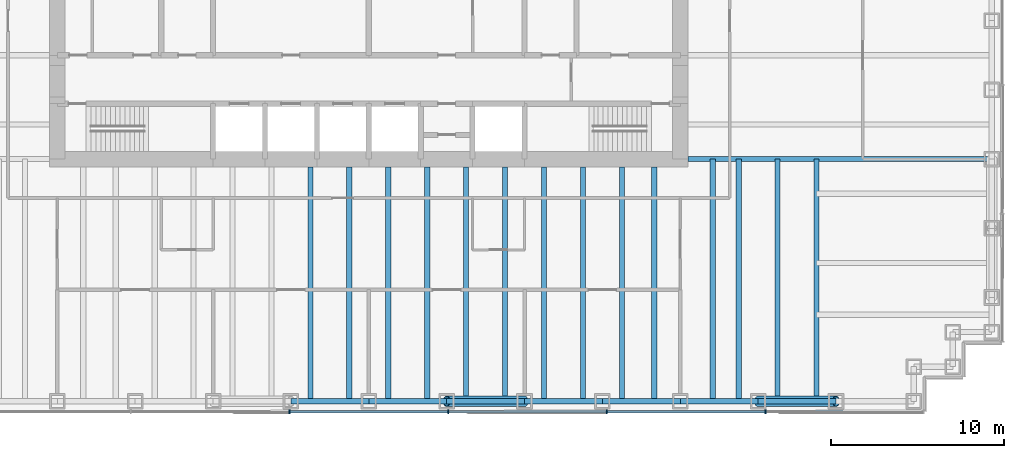
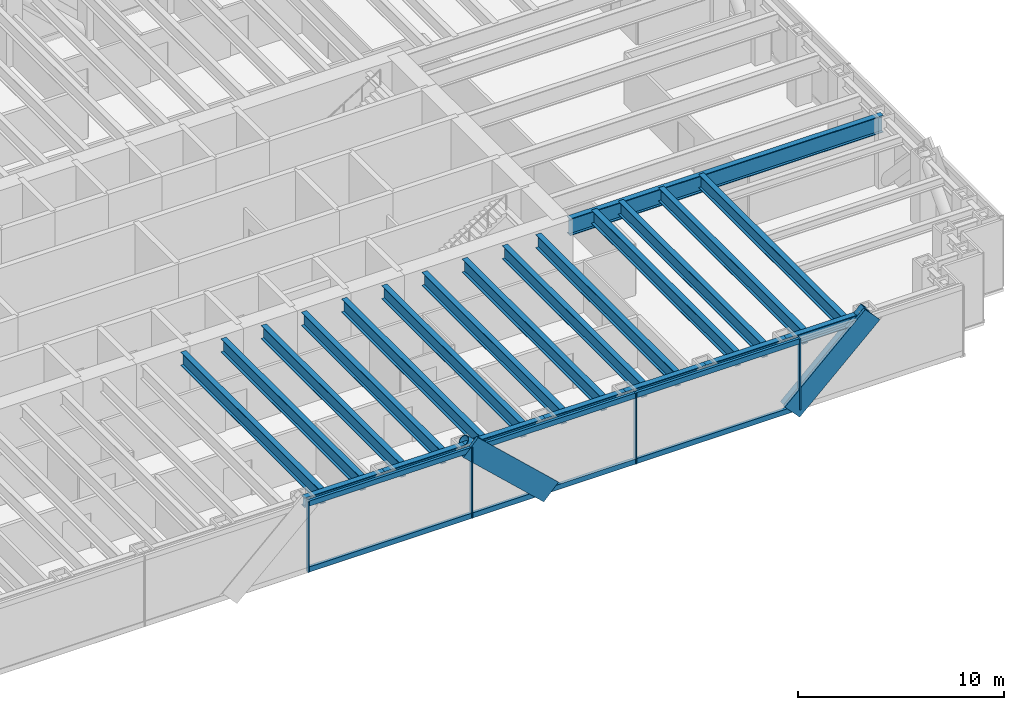
# One storey, part 4 of 15: 22 beams, 14 members, 1 element without a shape of its own.
"""IFC4 building model written with IfcOpenShell, lengths in metres."""

from ifc_helpers import new_model, si_unit, direction, frame, origin, origin_2d, place, context, subcontext, project, spatial, rectangle, hollow_circle, i_section, extrude, material, material_profile, profile_set, type_object, element, aggregate, save


model = new_model("IFC4")

# Units and contexts
model_context = context("Model", 3, precision=1e-05, world=origin(), true_north=direction((0.0, 1.0)))
body_context = subcontext(model_context, "Body", "Model", "MODEL_VIEW")
ifc_project = project(units=[si_unit("LENGTHUNIT", "METRE"), si_unit("AREAUNIT", "SQUARE_METRE"), si_unit("VOLUMEUNIT", "CUBIC_METRE"), si_unit("PLANEANGLEUNIT", "RADIAN"), si_unit("MASSUNIT", "GRAM", prefix="KILO")], contexts=[model_context])

# Site, building, storey
site_placement = place(None, origin())
site = spatial("IfcSite", under=ifc_project, at=site_placement, CompositionType="ELEMENT")
building_placement = place(site_placement, origin())
building = spatial("IfcBuilding", under=site, at=building_placement, Name="Rheinbord Bourse Tower", CompositionType="ELEMENT")
storey_placement = place(building_placement, frame((0.0, 0.0, 146.699951171875)))
storey = spatial("IfcBuildingStorey", under=building, at=storey_placement, Name="L32", CompositionType="ELEMENT", Elevation=146.699951171875)

# Curtain wall, members
ifc_material_1 = material(Name="Dark glass and black aluminium", Category="aluminium")
curtain_wall_type = type_object("IfcCurtainWallType", Name="CW2 DARK GLASS CURTAIN WALL", PredefinedType="USERDEFINED", material=ifc_material_1)
curtain_wall_placement = place(storey_placement, origin())
curtain_wall = element("IfcCurtainWall", 1, at=curtain_wall_placement, inside=storey, type_object=curtain_wall_type, Name="Curtain wall CW2 S L32", ObjectType="UNITISED CURTAIN WALL", PredefinedType="USERDEFINED")
ifc_material_2 = material(Name="Black anodised aluminium", Category="aluminium")
ifc_material_profile_1 = material_profile(ifc_material_2, rectangle(XDim=0.159912109375, YDim=1.2099609375, at=origin_2d()), Name="CW2 DIAGONAL MULLION 1210x160")
ifc_profile_set_1 = profile_set([ifc_material_profile_1], Name="Black anodised aluminium")
member_type_1 = type_object("IfcMemberType", Name="CW2 BLACK DIAGONAL MULLION", PredefinedType="USERDEFINED", material=ifc_profile_set_1)
member_1_placement = place(storey_placement, frame((45.0, 1.39990234375, 0.0), z_axis=(-0.73105922506, 0.0, 0.682314010889), x_axis=(0.0, -1.0, 0.0)))
member_1 = element("IfcMember", 2, at=member_1_placement, type_object=member_type_1, Name="CW2 diagonal mullion b", ObjectType="DIAGONAL MULLION", PredefinedType="USERDEFINED", context=body_context, shape_type="SweptSolid", body=[
    extrude(rectangle(XDim=0.159912109375, YDim=1.2099609375, at=origin_2d()), origin(), (0.0, 0.0, 1.0), 6.155517578125),
])
member_2_placement = place(storey_placement, frame((58.5, 1.39990234375, 0.0), z_axis=(0.73105922506, 0.0, 0.682314010889), x_axis=(0.0, 1.0, 0.0)))
member_2 = element("IfcMember", 3, at=member_2_placement, type_object=member_type_1, Name="CW2 diagonal mullion c", ObjectType="DIAGONAL MULLION", PredefinedType="USERDEFINED", context=body_context, shape_type="SweptSolid", body=[
    extrude(rectangle(XDim=0.159912109375, YDim=1.2099609375, at=origin_2d()), origin(), (0.0, 0.0, 1.0), 6.155517578125),
])
ifc_material_3 = material(Name="Black anodised aluminium", Category="aluminium")
ifc_material_profile_2 = material_profile(ifc_material_3, rectangle(XDim=0.219970703125, YDim=0.070068359375, at=origin_2d()), Name="CW2 MULLION 70x220")
ifc_profile_set_2 = profile_set([ifc_material_profile_2], Name="Black anodised aluminium")
member_type_2 = type_object("IfcMemberType", Name="CW2 BLACK MULLION", PredefinedType="MULLION", material=ifc_profile_set_2)
member_3_placement = place(storey_placement, frame((31.414306640625, 1.39990234375, 0.0), z_axis=(0.0, 0.0, 1.0), x_axis=(0.0, 1.0, 0.0)))
member_3 = element("IfcMember", 4, at=member_3_placement, type_object=member_type_2, Name="CW2 mullion 4", PredefinedType="MULLION", context=body_context, shape_type="SweptSolid", body=[
    extrude(rectangle(XDim=0.219970703125, YDim=0.070068359375, at=origin_2d()), origin(), (0.0, 0.0, 1.0), 4.199951171875),
])
member_4_placement = place(storey_placement, frame((40.585693359375, 1.39990234375, 0.0), z_axis=(0.0, 0.0, 1.0), x_axis=(0.0, 1.0, 0.0)))
member_4 = element("IfcMember", 5, at=member_4_placement, type_object=member_type_2, Name="CW2 mullion 5", PredefinedType="MULLION", context=body_context, shape_type="SweptSolid", body=[
    extrude(rectangle(XDim=0.219970703125, YDim=0.070068359375, at=origin_2d()), origin(), (0.0, 0.0, 1.0), 4.199951171875),
])
member_5_placement = place(storey_placement, frame((49.757080078125, 1.39990234375, 0.0), z_axis=(0.0, 0.0, 1.0), x_axis=(0.0, 1.0, 0.0)))
member_5 = element("IfcMember", 6, at=member_5_placement, type_object=member_type_2, Name="CW2 mullion 6", PredefinedType="MULLION", context=body_context, shape_type="SweptSolid", body=[
    extrude(rectangle(XDim=0.219970703125, YDim=0.070068359375, at=origin_2d()), origin(), (0.0, 0.0, 1.0), 4.199951171875),
])
member_6_placement = place(storey_placement, frame((58.928466796875, 1.39990234375, 0.0), z_axis=(0.0, 0.0, 1.0), x_axis=(0.0, 1.0, 0.0)))
member_6 = element("IfcMember", 7, at=member_6_placement, type_object=member_type_2, Name="CW2 mullion 7", PredefinedType="MULLION", context=body_context, shape_type="SweptSolid", body=[
    extrude(rectangle(XDim=0.219970703125, YDim=0.070068359375, at=origin_2d()), origin(), (0.0, 0.0, 1.0), 4.199951171875),
])
ifc_material_4 = material(Name="Black anodised aluminium", Category="aluminium")
ifc_material_profile_3 = material_profile(ifc_material_4, rectangle(XDim=0.159912109375, YDim=0.300048828125, at=origin_2d()), Name="CW2 TRANSOM 300x160")
ifc_profile_set_3 = profile_set([ifc_material_profile_3], Name="Black anodised aluminium")
member_type_3 = type_object("IfcMemberType", Name="CW2 BLACK TRANSOM", PredefinedType="USERDEFINED", material=ifc_profile_set_3)
member_7_placement = place(storey_placement, frame((31.44921875, 1.39990234375, 0.150146484375), z_axis=(1.0, 0.0, 0.0), x_axis=(0.0, 1.0, 0.0)))
member_7 = element("IfcMember", 8, at=member_7_placement, type_object=member_type_3, Name="CW2 transom 4.1", ObjectType="TRANSOM", PredefinedType="USERDEFINED", context=body_context, shape_type="SweptSolid", body=[
    extrude(rectangle(XDim=0.159912109375, YDim=0.300048828125, at=origin_2d()), origin(), (0.0, 0.0, 1.0), 9.1015625),
])
member_8_placement = place(storey_placement, frame((31.44921875, 1.39990234375, 4.050048828125), z_axis=(1.0, 0.0, 0.0), x_axis=(0.0, 1.0, 0.0)))
member_8 = element("IfcMember", 9, at=member_8_placement, type_object=member_type_3, Name="CW2 transom 4.2", ObjectType="TRANSOM", PredefinedType="USERDEFINED", context=body_context, shape_type="SweptSolid", body=[
    extrude(rectangle(XDim=0.159912109375, YDim=0.300048828125, at=origin_2d()), origin(), (0.0, 0.0, 1.0), 9.1015625),
])
member_9_placement = place(storey_placement, frame((40.62060546875, 1.39990234375, 0.150146484375), z_axis=(1.0, 0.0, 0.0), x_axis=(0.0, 1.0, 0.0)))
member_9 = element("IfcMember", 10, at=member_9_placement, type_object=member_type_3, Name="CW2 transom 5.1", ObjectType="TRANSOM", PredefinedType="USERDEFINED", context=body_context, shape_type="SweptSolid", body=[
    extrude(rectangle(XDim=0.159912109375, YDim=0.300048828125, at=origin_2d()), origin(), (0.0, 0.0, 1.0), 9.1015625),
])
member_10_placement = place(storey_placement, frame((40.62060546875, 1.39990234375, 4.050048828125), z_axis=(1.0, 0.0, 0.0), x_axis=(0.0, 1.0, 0.0)))
member_10 = element("IfcMember", 11, at=member_10_placement, type_object=member_type_3, Name="CW2 transom 5.2", ObjectType="TRANSOM", PredefinedType="USERDEFINED", context=body_context, shape_type="SweptSolid", body=[
    extrude(rectangle(XDim=0.159912109375, YDim=0.300048828125, at=origin_2d()), origin(), (0.0, 0.0, 1.0), 9.1015625),
])
member_11_placement = place(storey_placement, frame((49.792236328125, 1.39990234375, 0.150146484375), z_axis=(1.0, 0.0, 0.0), x_axis=(0.0, 1.0, 0.0)))
member_11 = element("IfcMember", 12, at=member_11_placement, type_object=member_type_3, Name="CW2 transom 6.1", ObjectType="TRANSOM", PredefinedType="USERDEFINED", context=body_context, shape_type="SweptSolid", body=[
    extrude(rectangle(XDim=0.159912109375, YDim=0.300048828125, at=origin_2d()), origin(), (0.0, 0.0, 1.0), 9.101318359375),
])
member_12_placement = place(storey_placement, frame((49.792236328125, 1.39990234375, 4.050048828125), z_axis=(1.0, 0.0, 0.0), x_axis=(0.0, 1.0, 0.0)))
member_12 = element("IfcMember", 13, at=member_12_placement, type_object=member_type_3, Name="CW2 transom 6.2", ObjectType="TRANSOM", PredefinedType="USERDEFINED", context=body_context, shape_type="SweptSolid", body=[
    extrude(rectangle(XDim=0.159912109375, YDim=0.300048828125, at=origin_2d()), origin(), (0.0, 0.0, 1.0), 9.101318359375),
])
aggregate(curtain_wall, [member_3, member_4, member_5, member_6, member_7, member_8, member_9, member_10, member_11, member_12, member_1, member_2])

# Beams
ifc_material_5 = material(Name="Steel S460", Category="steel")
ifc_material_profile_4 = material_profile(ifc_material_5, i_section(OverallWidth=0.300048828125, OverallDepth=0.800048828125, WebThickness=0.017578125, FlangeThickness=0.032958984375, at=origin_2d()), Name="HEB 800")
ifc_profile_set_4 = profile_set([ifc_material_profile_4], Name="Steel S460")
beam_type_1 = type_object("IfcBeamType", Name="FLOOR BEAM HEB 800", PredefinedType="BEAM", material=ifc_profile_set_4)
for number, where, z_axis, x_axis, name in (
    (14, (32.625, 2.0, 3.64013671875), (0.0, 1.0, 0.0), (-1.0, 0.0, 0.0), "Floor beam S-31.5a L33"),
    (15, (34.875, 2.0, 3.64013671875), (0.0, 1.0, 0.0), (-1.0, 0.0, 0.0), "Floor beam S-31.5b L33"),
    (16, (37.125, 2.0, 3.64013671875), (0.0, 1.0, 0.0), (-1.0, 0.0, 0.0), "Floor beam S-36a L33"),
    (17, (39.375, 2.0, 3.64013671875), (0.0, 1.0, 0.0), (-1.0, 0.0, 0.0), "Floor beam S-36b L33"),
    (18, (41.625, 2.0, 3.64013671875), (0.0, 1.0, 0.0), (-1.0, 0.0, 0.0), "Floor beam S-40.5a L33"),
    (19, (43.875, 2.0, 3.64013671875), (0.0, 1.0, 0.0), (-1.0, 0.0, 0.0), "Floor beam S-40.5b L33"),
    (20, (46.125, 2.0, 3.64013671875), (0.0, 1.0, 0.0), (-1.0, 0.0, 0.0), "Floor beam S-45a L33"),
    (21, (48.375, 2.0, 3.64013671875), (0.0, 1.0, 0.0), (-1.0, 0.0, 0.0), "Floor beam S-45b L33"),
    (22, (50.625, 2.0, 3.64013671875), (0.0, 1.0, 0.0), (-1.0, 0.0, 0.0), "Floor beam S-49.5a L33"),
    (23, (52.5, 2.0, 3.64013671875), (0.0, 1.0, 0.0), (-1.0, 0.0, 0.0), "Floor beam S-49.5b L33"),
):
    element("IfcBeam", number, at=place(storey_placement, frame(where, z_axis=z_axis, x_axis=x_axis)), inside=storey, type_object=beam_type_1, Name=name, PredefinedType="BEAM", context=body_context, shape_type="SweptSolid", body=[
        extrude(i_section(OverallWidth=0.300048828125, OverallDepth=0.800048828125, WebThickness=0.017578125, FlangeThickness=0.032958984375, at=origin_2d()), origin(), (0.0, 0.0, 1.0), 13.550048828125),
    ])
for number, where, z_axis, x_axis, name in (
    (24, (55.875, 2.0, 3.64013671875), (0.0, 1.0, 0.0), (-1.0, 0.0, 0.0), "Floor beam S-54a L33"),
    (25, (57.375, 2.0, 3.64013671875), (0.0, 1.0, 0.0), (-1.0, 0.0, 0.0), "Floor beam S-54b L33"),
    (26, (59.625, 2.0, 3.64013671875), (0.0, 1.0, 0.0), (-1.0, 0.0, 0.0), "Floor beam S-58.5a L33"),
    (27, (61.875, 2.0, 3.64013671875), (0.0, 1.0, 0.0), (-1.0, 0.0, 0.0), "Floor beam S-58.5b L33"),
):
    element("IfcBeam", number, at=place(storey_placement, frame(where, z_axis=z_axis, x_axis=x_axis)), inside=storey, type_object=beam_type_1, Name=name, PredefinedType="BEAM", context=body_context, shape_type="SweptSolid", body=[
        extrude(i_section(OverallWidth=0.300048828125, OverallDepth=0.800048828125, WebThickness=0.017578125, FlangeThickness=0.032958984375, at=origin_2d()), origin(), (0.0, 0.0, 1.0), 14.0),
    ])
ifc_material_6 = material(Name="Steel S460", Category="steel")
ifc_material_profile_5 = material_profile(ifc_material_6, i_section(OverallWidth=0.302001953125, OverallDepth=1.008056640625, WebThickness=0.02099609375, FlangeThickness=0.0400390625, at=origin_2d()), Name="HEM 1000")
ifc_profile_set_5 = profile_set([ifc_material_profile_5], Name="Steel S460")
beam_type_2 = type_object("IfcBeamType", Name="GIRDER HEM 1000", PredefinedType="BEAM", material=ifc_profile_set_5)
beam_placement = place(storey_placement, frame((54.449951171875, 16.0, 3.5361328125), z_axis=(1.0, 0.0, 0.0), x_axis=(0.0, 1.0, 0.0)))
element("IfcBeam", 28, at=beam_placement, inside=storey, type_object=beam_type_2, Name="Girder east 16 L33", PredefinedType="BEAM", context=body_context, shape_type="SweptSolid", body=[
    extrude(i_section(OverallWidth=0.302001953125, OverallDepth=1.008056640625, WebThickness=0.02099609375, FlangeThickness=0.0400390625, at=origin_2d()), origin(), (0.0, 0.0, 1.0), 17.550048828125),
])

# Members
ifc_material_7 = material(Name="Steel S460", Category="steel")
ifc_material_profile_6 = material_profile(ifc_material_7, hollow_circle(Radius=0.304931640625, WallThickness=0.0400390625, at=origin_2d()), Name="CHS 610x40")
ifc_profile_set_6 = profile_set([ifc_material_profile_6], Name="Steel S460")
member_type_4 = type_object("IfcMemberType", Name="MEGABRACE CHS 610x40", PredefinedType="BRACE", material=ifc_profile_set_6)
for number, where, z_axis, x_axis, name in (
    (29, (45.0, 2.0, 0.0), (-0.73105922506, 0.0, 0.682314010889), (0.0, -1.0, 0.0), "Megabrace S face line b L32"),
    (30, (58.5, 2.0, 0.0), (0.73105922506, 0.0, 0.682314010889), (0.0, 1.0, 0.0), "Megabrace S face line c L32"),
):
    element("IfcMember", number, at=place(storey_placement, frame(where, z_axis=z_axis, x_axis=x_axis)), inside=storey, type_object=member_type_4, Name=name, PredefinedType="BRACE", context=body_context, shape_type="SweptSolid", body=[
        extrude(hollow_circle(Radius=0.304931640625, WallThickness=0.0400390625, at=origin_2d()), origin(), (0.0, 0.0, 1.0), 6.155517578125),
    ])

# Beams
ifc_material_8 = material(Name="Steel S460", Category="steel")
ifc_material_profile_7 = material_profile(ifc_material_8, i_section(OverallWidth=0.305908203125, OverallDepth=0.572021484375, WebThickness=0.02099609375, FlangeThickness=0.0400390625, at=origin_2d()), Name="HEM 550")
ifc_profile_set_7 = profile_set([ifc_material_profile_7], Name="Steel S460")
beam_type_3 = type_object("IfcBeamType", Name="SPANDREL HEM 550", PredefinedType="SPANDREL", material=ifc_profile_set_7)
for number, where, z_axis, x_axis, name in (
    (31, (31.5, 2.0, 3.754150390625), (1.0, 0.0, 0.0), (0.0, 1.0, 0.0), "Spandrel S-31.5-S-36 under L33"),
    (32, (36.0, 2.0, 3.754150390625), (1.0, 0.0, 0.0), (0.0, 1.0, 0.0), "Spandrel S-36-S-40.5 under L33"),
    (33, (40.5, 2.0, 3.754150390625), (1.0, 0.0, 0.0), (0.0, 1.0, 0.0), "Spandrel S-40.5-S-45 under L33"),
    (34, (45.0, 2.0, 3.754150390625), (1.0, 0.0, 0.0), (0.0, 1.0, 0.0), "Spandrel S-45-S-49.5 under L33"),
    (35, (49.5, 2.0, 3.754150390625), (1.0, 0.0, 0.0), (0.0, 1.0, 0.0), "Spandrel S-49.5-S-54 under L33"),
    (36, (54.0, 2.0, 3.754150390625), (1.0, 0.0, 0.0), (0.0, 1.0, 0.0), "Spandrel S-54-S-58.5 under L33"),
    (37, (58.5, 2.0, 3.754150390625), (1.0, 0.0, 0.0), (0.0, 1.0, 0.0), "Spandrel S-58.5-S-63 under L33"),
):
    element("IfcBeam", number, at=place(storey_placement, frame(where, z_axis=z_axis, x_axis=x_axis)), inside=storey, type_object=beam_type_3, Name=name, PredefinedType="SPANDREL", context=body_context, shape_type="SweptSolid", body=[
        extrude(i_section(OverallWidth=0.305908203125, OverallDepth=0.572021484375, WebThickness=0.02099609375, FlangeThickness=0.0400390625, at=origin_2d()), origin(), (0.0, 0.0, 1.0), 4.5),
    ])

save(model, "model.ifc")
